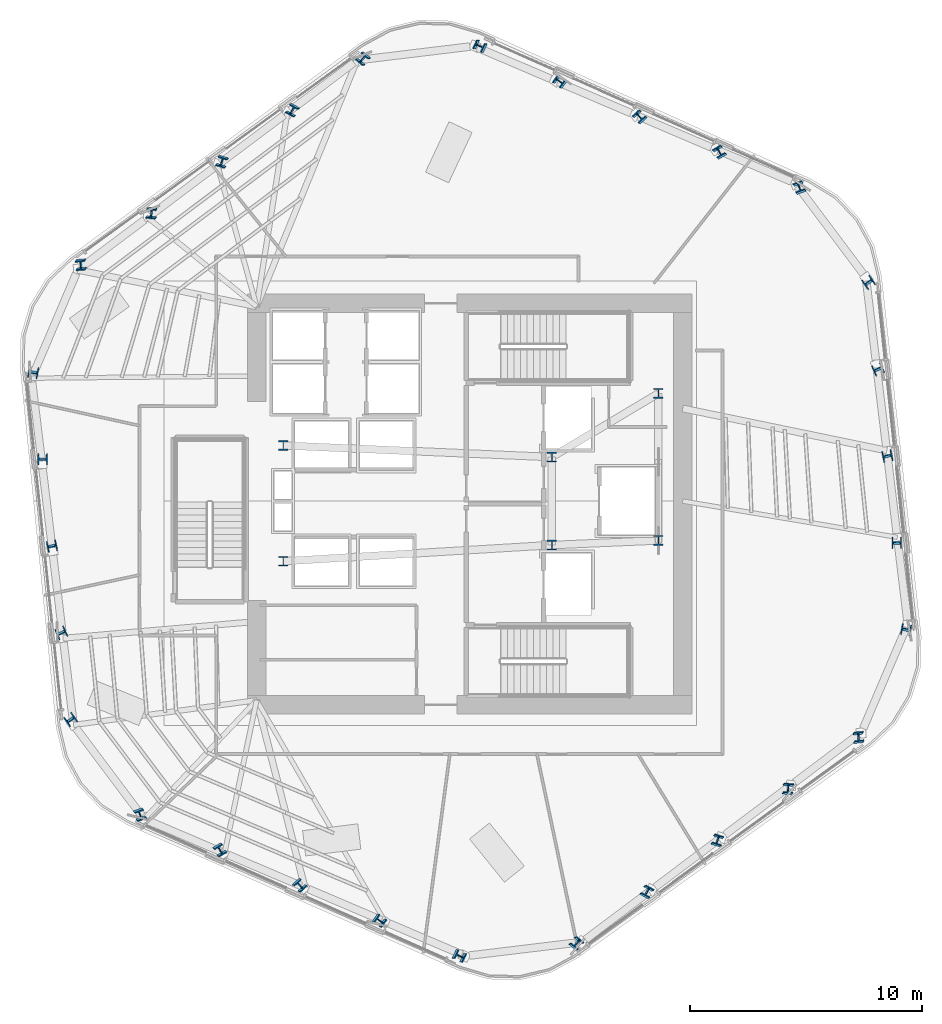
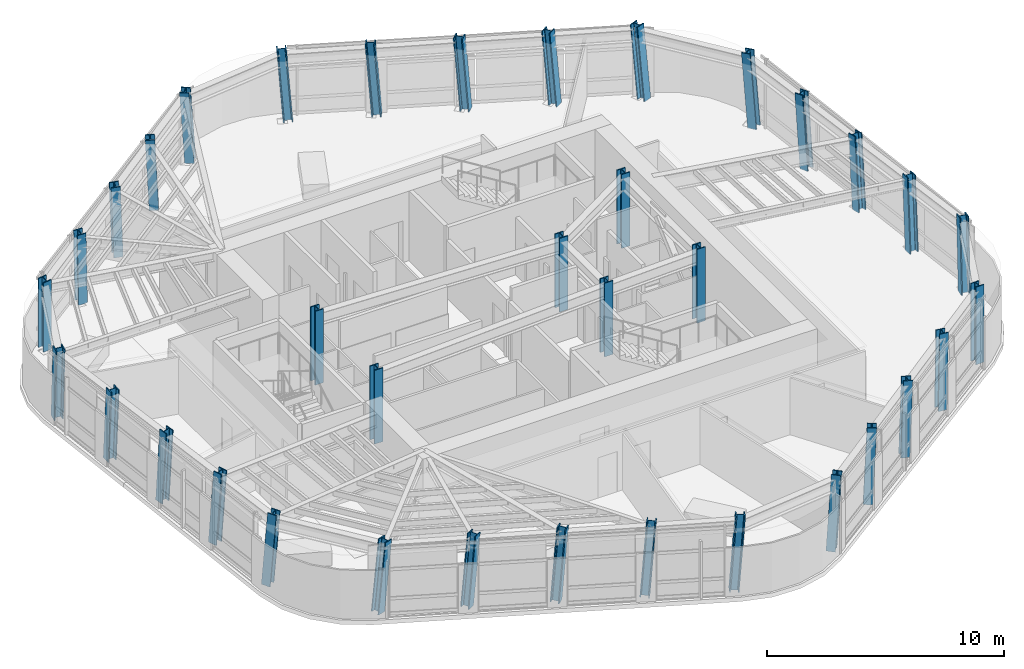
# One storey, part 1 of 14: 36 columns.
"""IFC4 building model written with IfcOpenShell, lengths in metres."""

from ifc_helpers import new_model, si_unit, direction, frame, origin, origin_2d, place, context, subcontext, project, spatial, i_section, extrude, material, material_profile, profile_set, type_object, element, save


model = new_model("IFC4")

# Units and contexts
model_context = context("Model", 3, precision=1e-05, world=origin(), true_north=direction((0.0, 1.0)))
body_context = subcontext(model_context, "Body", "Model", "MODEL_VIEW")
ifc_project = project(units=[si_unit("LENGTHUNIT", "METRE"), si_unit("AREAUNIT", "SQUARE_METRE"), si_unit("VOLUMEUNIT", "CUBIC_METRE"), si_unit("PLANEANGLEUNIT", "RADIAN"), si_unit("MASSUNIT", "GRAM", prefix="KILO")], contexts=[model_context])

# Site, building, storey
site_placement = place(None, origin())
site = spatial("IfcSite", under=ifc_project, at=site_placement, CompositionType="ELEMENT")
building_placement = place(site_placement, origin())
building = spatial("IfcBuilding", under=site, at=building_placement, Name="Valkerne Bourse Tower", CompositionType="ELEMENT")
storey_placement = place(building_placement, frame((0.0, 0.0, 178.0)))
storey = spatial("IfcBuildingStorey", under=building, at=storey_placement, Name="L45", CompositionType="ELEMENT", Elevation=178.0)

# Columns
ifc_material = material(Name="Steel ASTM A913 Grade 65", Category="steel")
ifc_material_profile_1 = material_profile(ifc_material, i_section(OverallWidth=0.406494140625, OverallDepth=0.41650390625, WebThickness=0.02978515625, FlangeThickness=0.048095703125, FilletRadius=0.025390625, at=origin_2d()), Name="W14X257")
ifc_profile_set_1 = profile_set([ifc_material_profile_1], Name="Steel ASTM A913 Grade 65")
column_type_1 = type_object("IfcColumnType", Name="COL-W14X257", PredefinedType="COLUMN", material=ifc_profile_set_1)
column_1_placement = place(storey_placement, frame((61.069580078125, 40.507080078125, 0.010009765625), z_axis=(-0.05637615835, 0.05862863043, 0.996686717311), x_axis=(0.939484948282, 0.340989126268, 0.033082438217)))
element("IfcColumn", 1, at=column_1_placement, inside=storey, type_object=column_type_1, Name="L45 Helical Perimeter Tube Column F1-C1", PredefinedType="COLUMN", context=body_context, shape_type="SweptSolid", body=[
    extrude(i_section(OverallWidth=0.406494140625, OverallDepth=0.41650390625, WebThickness=0.02978515625, FlangeThickness=0.048095703125, FilletRadius=0.025390625, at=origin_2d()), origin(), (0.0, 0.0, 1.0), 3.79345703125),
])
column_2_placement = place(storey_placement, frame((57.62451171875, 42.041015625, 0.010009765625), z_axis=(-0.062641718048, 0.044293424478, 0.997052710597), x_axis=(0.858550778147, 0.511778106739, 0.031204660018)))
element("IfcColumn", 2, at=column_2_placement, inside=storey, type_object=column_type_1, Name="L45 Helical Perimeter Tube Column F1-C2", PredefinedType="COLUMN", context=body_context, shape_type="SweptSolid", body=[
    extrude(i_section(OverallWidth=0.406494140625, OverallDepth=0.41650390625, WebThickness=0.02978515625, FlangeThickness=0.048095703125, FilletRadius=0.025390625, at=origin_2d()), origin(), (0.0, 0.0, 1.0), 3.792236328125),
])
column_3_placement = place(storey_placement, frame((54.179443359375, 43.57470703125, 0.010009765625), z_axis=(-0.068894859855, 0.030004677283, 0.997172611751), x_axis=(0.736621409089, 0.67561433225, 0.030564255756)))
element("IfcColumn", 3, at=column_3_placement, inside=storey, type_object=column_type_1, Name="L45 Helical Perimeter Tube Column F1-C3", PredefinedType="COLUMN", context=body_context, shape_type="SweptSolid", body=[
    extrude(i_section(OverallWidth=0.406494140625, OverallDepth=0.41650390625, WebThickness=0.02978515625, FlangeThickness=0.048095703125, FilletRadius=0.025390625, at=origin_2d()), origin(), (0.0, 0.0, 1.0), 3.791748046875),
])
column_4_placement = place(storey_placement, frame((50.734619140625, 45.1083984375, 0.010009765625), z_axis=(-0.075131223163, 0.015708670481, 0.997049916994), x_axis=(0.583917004821, 0.8112128445, 0.031219423424)))
element("IfcColumn", 4, at=column_4_placement, inside=storey, type_object=column_type_1, Name="L45 Helical Perimeter Tube Column F1-C4", PredefinedType="COLUMN", context=body_context, shape_type="SweptSolid", body=[
    extrude(i_section(OverallWidth=0.406494140625, OverallDepth=0.41650390625, WebThickness=0.02978515625, FlangeThickness=0.048095703125, FilletRadius=0.025390625, at=origin_2d()), origin(), (0.0, 0.0, 1.0), 3.792236328125),
])
for number, where, z_axis, x_axis, name in (
    (5, (47.28955078125, 46.642333984375, 0.010009765625), (-0.081346278763, 0.001351480897, 0.996684983548), (0.420507848459, 0.906685243025, 0.033091078346), "L45 Helical Perimeter Tube Column F1-C5"),
    (6, (42.2373046875, 46.111328125, 0.010009765625), (-0.078965129532, -0.019564302671, 0.996685379836), (-0.763202496235, 0.644387615765, -0.047817887757), "L45 Helical Perimeter Tube Column F2-C1"),
):
    element("IfcColumn", number, at=place(storey_placement, frame(where, z_axis=z_axis, x_axis=x_axis)), inside=storey, type_object=column_type_1, Name=name, PredefinedType="COLUMN", context=body_context, shape_type="SweptSolid", body=[
        extrude(i_section(OverallWidth=0.406494140625, OverallDepth=0.41650390625, WebThickness=0.02978515625, FlangeThickness=0.048095703125, FilletRadius=0.025390625, at=origin_2d()), origin(), (0.0, 0.0, 1.0), 3.793701171875),
    ])
column_5_placement = place(storey_placement, frame((39.1865234375, 43.894775390625, 0.010009765625), z_axis=(-0.069723253022, -0.032125487773, 0.997048956182), x_axis=(-0.87082017765, 0.489526409745, -0.045123301733)))
element("IfcColumn", 7, at=column_5_placement, inside=storey, type_object=column_type_1, Name="L45 Helical Perimeter Tube Column F2-C2", PredefinedType="COLUMN", context=body_context, shape_type="SweptSolid", body=[
    extrude(i_section(OverallWidth=0.406494140625, OverallDepth=0.41650390625, WebThickness=0.02978515625, FlangeThickness=0.048095703125, FilletRadius=0.025390625, at=origin_2d()), origin(), (0.0, 0.0, 1.0), 3.792236328125),
])
column_6_placement = place(storey_placement, frame((36.1357421875, 41.67822265625, 0.010009765625), z_axis=(-0.060459905552, -0.044684956819, 0.997169922558), x_axis=(-0.952208566892, 0.302235135085, -0.044190137571)))
element("IfcColumn", 8, at=column_6_placement, inside=storey, type_object=column_type_1, Name="L45 Helical Perimeter Tube Column F2-C3", PredefinedType="COLUMN", context=body_context, shape_type="SweptSolid", body=[
    extrude(i_section(OverallWidth=0.406494140625, OverallDepth=0.41650390625, WebThickness=0.02978515625, FlangeThickness=0.048095703125, FilletRadius=0.025390625, at=origin_2d()), origin(), (0.0, 0.0, 1.0), 3.791748046875),
])
column_7_placement = place(storey_placement, frame((33.0849609375, 39.461669921875, 0.010009765625), z_axis=(-0.05118184097, -0.057233530343, 0.997048013969), x_axis=(-0.993715080405, 0.102438164205, -0.045130494024)))
element("IfcColumn", 9, at=column_7_placement, inside=storey, type_object=column_type_1, Name="L45 Helical Perimeter Tube Column F2-C4", PredefinedType="COLUMN", context=body_context, shape_type="SweptSolid", body=[
    extrude(i_section(OverallWidth=0.406494140625, OverallDepth=0.41650390625, WebThickness=0.02978515625, FlangeThickness=0.048095703125, FilletRadius=0.025390625, at=origin_2d()), origin(), (0.0, 0.0, 1.0), 3.792236328125),
])
for number, where, z_axis, x_axis, name in (
    (10, (30.0341796875, 37.2451171875, 0.010009765625), (-0.041895845345, -0.069762052771, 0.996683497474), (-0.995171369995, -0.085709378623, -0.047831441099), "L45 Helical Perimeter Tube Column F2-C5"),
    (11, (27.9677734375, 32.604248046875, 0.010009765625), (-0.022588977555, -0.078192614614, 0.996682323066), (-0.174681541654, -0.981292204725, -0.080944227408), "L45 Helical Perimeter Tube Column F3-C1"),
):
    element("IfcColumn", number, at=place(storey_placement, frame(where, z_axis=z_axis, x_axis=x_axis)), inside=storey, type_object=column_type_1, Name=name, PredefinedType="COLUMN", context=body_context, shape_type="SweptSolid", body=[
        extrude(i_section(OverallWidth=0.406494140625, OverallDepth=0.41650390625, WebThickness=0.02978515625, FlangeThickness=0.048095703125, FilletRadius=0.025390625, at=origin_2d()), origin(), (0.0, 0.0, 1.0), 3.793701171875),
    ])
column_8_placement = place(storey_placement, frame((28.362060546875, 28.85400390625, 0.010009765625), z_axis=(-0.007081748045, -0.076482878888, 0.99704574523), x_axis=(0.012660988249, -0.996997682873, -0.076389264451)))
element("IfcColumn", 12, at=column_8_placement, inside=storey, type_object=column_type_1, Name="L45 Helical Perimeter Tube Column F3-C2", PredefinedType="COLUMN", context=body_context, shape_type="SweptSolid", body=[
    extrude(i_section(OverallWidth=0.406494140625, OverallDepth=0.41650390625, WebThickness=0.02978515625, FlangeThickness=0.048095703125, FilletRadius=0.025390625, at=origin_2d()), origin(), (0.0, 0.0, 1.0), 3.792236328125),
])
column_9_placement = place(storey_placement, frame((28.756103515625, 25.103515625, 0.010009765625), z_axis=(0.008434778927, -0.074689645459, 0.997171154499), x_axis=(0.215155497977, -0.973714615625, -0.074752652183)))
element("IfcColumn", 13, at=column_9_placement, inside=storey, type_object=column_type_1, Name="L45 Helical Perimeter Tube Column F3-C3", PredefinedType="COLUMN", context=body_context, shape_type="SweptSolid", body=[
    extrude(i_section(OverallWidth=0.406494140625, OverallDepth=0.41650390625, WebThickness=0.02978515625, FlangeThickness=0.048095703125, FilletRadius=0.025390625, at=origin_2d()), origin(), (0.0, 0.0, 1.0), 3.791748046875),
])
column_10_placement = place(storey_placement, frame((29.150390625, 21.353271484375, 0.010009765625), z_axis=(0.023949252343, -0.072942212109, 0.997048578057), x_axis=(0.408635731405, -0.90949827185, -0.076352685096)))
element("IfcColumn", 14, at=column_10_placement, inside=storey, type_object=column_type_1, Name="L45 Helical Perimeter Tube Column F3-C4", PredefinedType="COLUMN", context=body_context, shape_type="SweptSolid", body=[
    extrude(i_section(OverallWidth=0.406494140625, OverallDepth=0.41650390625, WebThickness=0.02978515625, FlangeThickness=0.048095703125, FilletRadius=0.025390625, at=origin_2d()), origin(), (0.0, 0.0, 1.0), 3.792236328125),
])
for number, where, z_axis, x_axis, name in (
    (15, (29.54443359375, 17.602783203125, 0.010009765625), (0.039450480669, -0.071113835464, 0.996687755508), (0.572255381641, -0.816077521307, -0.080878040291), "L45 Helical Perimeter Tube Column F3-C5"),
    (16, (32.530517578125, 13.492919921875, 0.010009765625), (0.05637615835, -0.05862863043, 0.996686717311), (0.939484948282, 0.340989126268, -0.033082438217), "L45 Helical Perimeter Tube Column F4-C1"),
):
    element("IfcColumn", number, at=place(storey_placement, frame(where, z_axis=z_axis, x_axis=x_axis)), inside=storey, type_object=column_type_1, Name=name, PredefinedType="COLUMN", context=body_context, shape_type="SweptSolid", body=[
        extrude(i_section(OverallWidth=0.406494140625, OverallDepth=0.41650390625, WebThickness=0.02978515625, FlangeThickness=0.048095703125, FilletRadius=0.025390625, at=origin_2d()), origin(), (0.0, 0.0, 1.0), 3.79345703125),
    ])
column_11_placement = place(storey_placement, frame((35.9755859375, 11.958984375, 0.010009765625), z_axis=(0.062641718048, -0.044293424478, 0.997052710597), x_axis=(0.858550778147, 0.511778106739, -0.031204660018)))
element("IfcColumn", 17, at=column_11_placement, inside=storey, type_object=column_type_1, Name="L45 Helical Perimeter Tube Column F4-C2", PredefinedType="COLUMN", context=body_context, shape_type="SweptSolid", body=[
    extrude(i_section(OverallWidth=0.406494140625, OverallDepth=0.41650390625, WebThickness=0.02978515625, FlangeThickness=0.048095703125, FilletRadius=0.025390625, at=origin_2d()), origin(), (0.0, 0.0, 1.0), 3.792236328125),
])
column_12_placement = place(storey_placement, frame((39.42041015625, 10.42529296875, 0.010009765625), z_axis=(0.068894859855, -0.030004677283, 0.997172611751), x_axis=(0.736621409089, 0.67561433225, -0.030564255756)))
element("IfcColumn", 18, at=column_12_placement, inside=storey, type_object=column_type_1, Name="L45 Helical Perimeter Tube Column F4-C3", PredefinedType="COLUMN", context=body_context, shape_type="SweptSolid", body=[
    extrude(i_section(OverallWidth=0.406494140625, OverallDepth=0.41650390625, WebThickness=0.02978515625, FlangeThickness=0.048095703125, FilletRadius=0.025390625, at=origin_2d()), origin(), (0.0, 0.0, 1.0), 3.791748046875),
])
column_13_placement = place(storey_placement, frame((42.865478515625, 8.8916015625, 0.010009765625), z_axis=(0.075131223163, -0.015708670481, 0.997049916994), x_axis=(0.583917004821, 0.8112128445, -0.031219423424)))
element("IfcColumn", 19, at=column_13_placement, inside=storey, type_object=column_type_1, Name="L45 Helical Perimeter Tube Column F4-C4", PredefinedType="COLUMN", context=body_context, shape_type="SweptSolid", body=[
    extrude(i_section(OverallWidth=0.406494140625, OverallDepth=0.41650390625, WebThickness=0.02978515625, FlangeThickness=0.048095703125, FilletRadius=0.025390625, at=origin_2d()), origin(), (0.0, 0.0, 1.0), 3.792236328125),
])
for number, where, z_axis, x_axis, name in (
    (20, (46.310302734375, 7.357666015625, 0.010009765625), (0.081346278763, -0.001351480897, 0.996684983548), (0.420507848459, 0.906685243025, -0.033091078346), "L45 Helical Perimeter Tube Column F4-C5"),
    (21, (51.36279296875, 7.888671875, 0.010009765625), (0.078965129532, 0.019564302671, 0.996685379836), (-0.763202496235, 0.644387615765, 0.047817887757), "L45 Helical Perimeter Tube Column F5-C1"),
):
    element("IfcColumn", number, at=place(storey_placement, frame(where, z_axis=z_axis, x_axis=x_axis)), inside=storey, type_object=column_type_1, Name=name, PredefinedType="COLUMN", context=body_context, shape_type="SweptSolid", body=[
        extrude(i_section(OverallWidth=0.406494140625, OverallDepth=0.41650390625, WebThickness=0.02978515625, FlangeThickness=0.048095703125, FilletRadius=0.025390625, at=origin_2d()), origin(), (0.0, 0.0, 1.0), 3.793701171875),
    ])
column_14_placement = place(storey_placement, frame((54.41357421875, 10.105224609375, 0.010009765625), z_axis=(0.069723253022, 0.032125487773, 0.997048956182), x_axis=(-0.87082017765, 0.489526409745, 0.045123301733)))
element("IfcColumn", 22, at=column_14_placement, inside=storey, type_object=column_type_1, Name="L45 Helical Perimeter Tube Column F5-C2", PredefinedType="COLUMN", context=body_context, shape_type="SweptSolid", body=[
    extrude(i_section(OverallWidth=0.406494140625, OverallDepth=0.41650390625, WebThickness=0.02978515625, FlangeThickness=0.048095703125, FilletRadius=0.025390625, at=origin_2d()), origin(), (0.0, 0.0, 1.0), 3.792236328125),
])
column_15_placement = place(storey_placement, frame((57.46435546875, 12.32177734375, 0.010009765625), z_axis=(0.060459905552, 0.044684956819, 0.997169922558), x_axis=(-0.952208566892, 0.302235135085, 0.044190137571)))
element("IfcColumn", 23, at=column_15_placement, inside=storey, type_object=column_type_1, Name="L45 Helical Perimeter Tube Column F5-C3", PredefinedType="COLUMN", context=body_context, shape_type="SweptSolid", body=[
    extrude(i_section(OverallWidth=0.406494140625, OverallDepth=0.41650390625, WebThickness=0.02978515625, FlangeThickness=0.048095703125, FilletRadius=0.025390625, at=origin_2d()), origin(), (0.0, 0.0, 1.0), 3.791748046875),
])
column_16_placement = place(storey_placement, frame((60.51513671875, 14.538330078125, 0.010009765625), z_axis=(0.05118184097, 0.057233530343, 0.997048013969), x_axis=(-0.993715080405, 0.102438164205, 0.045130494024)))
element("IfcColumn", 24, at=column_16_placement, inside=storey, type_object=column_type_1, Name="L45 Helical Perimeter Tube Column F5-C4", PredefinedType="COLUMN", context=body_context, shape_type="SweptSolid", body=[
    extrude(i_section(OverallWidth=0.406494140625, OverallDepth=0.41650390625, WebThickness=0.02978515625, FlangeThickness=0.048095703125, FilletRadius=0.025390625, at=origin_2d()), origin(), (0.0, 0.0, 1.0), 3.792236328125),
])
for number, where, z_axis, x_axis, name in (
    (25, (63.56591796875, 16.7548828125, 0.010009765625), (0.041895845345, 0.069762052771, 0.996683497474), (-0.995171369995, -0.085709378623, 0.047831441099), "L45 Helical Perimeter Tube Column F5-C5"),
    (26, (65.632080078125, 21.395751953125, 0.010009765625), (0.022653300638, 0.078192500781, 0.996680872091), (-0.17542636215, -0.981157868436, 0.080961896405), "L45 Helical Perimeter Tube Column F6-C1"),
):
    element("IfcColumn", number, at=place(storey_placement, frame(where, z_axis=z_axis, x_axis=x_axis)), inside=storey, type_object=column_type_1, Name=name, PredefinedType="COLUMN", context=body_context, shape_type="SweptSolid", body=[
        extrude(i_section(OverallWidth=0.406494140625, OverallDepth=0.41650390625, WebThickness=0.02978515625, FlangeThickness=0.048095703125, FilletRadius=0.025390625, at=origin_2d()), origin(), (0.0, 0.0, 1.0), 3.793701171875),
    ])
column_17_placement = place(storey_placement, frame((65.238037109375, 25.14599609375, 0.010009765625), z_axis=(0.007081748045, 0.076482878888, 0.99704574523), x_axis=(0.012660988249, -0.996997682873, 0.076389264451)))
element("IfcColumn", 27, at=column_17_placement, inside=storey, type_object=column_type_1, Name="L45 Helical Perimeter Tube Column F6-C2", PredefinedType="COLUMN", context=body_context, shape_type="SweptSolid", body=[
    extrude(i_section(OverallWidth=0.406494140625, OverallDepth=0.41650390625, WebThickness=0.02978515625, FlangeThickness=0.048095703125, FilletRadius=0.025390625, at=origin_2d()), origin(), (0.0, 0.0, 1.0), 3.792236328125),
])
column_18_placement = place(storey_placement, frame((64.84375, 28.896484375, 0.010009765625), z_axis=(-0.008434778927, 0.074689645459, 0.997171154499), x_axis=(0.215155497977, -0.973714615625, 0.074752652183)))
element("IfcColumn", 28, at=column_18_placement, inside=storey, type_object=column_type_1, Name="L45 Helical Perimeter Tube Column F6-C3", PredefinedType="COLUMN", context=body_context, shape_type="SweptSolid", body=[
    extrude(i_section(OverallWidth=0.406494140625, OverallDepth=0.41650390625, WebThickness=0.02978515625, FlangeThickness=0.048095703125, FilletRadius=0.025390625, at=origin_2d()), origin(), (0.0, 0.0, 1.0), 3.791748046875),
])
column_19_placement = place(storey_placement, frame((64.44970703125, 32.646728515625, 0.010009765625), z_axis=(-0.023949252343, 0.072942212109, 0.997048578057), x_axis=(0.408635731405, -0.90949827185, 0.076352685096)))
element("IfcColumn", 29, at=column_19_placement, inside=storey, type_object=column_type_1, Name="L45 Helical Perimeter Tube Column F6-C4", PredefinedType="COLUMN", context=body_context, shape_type="SweptSolid", body=[
    extrude(i_section(OverallWidth=0.406494140625, OverallDepth=0.41650390625, WebThickness=0.02978515625, FlangeThickness=0.048095703125, FilletRadius=0.025390625, at=origin_2d()), origin(), (0.0, 0.0, 1.0), 3.792236328125),
])
column_20_placement = place(storey_placement, frame((64.055419921875, 36.397216796875, 0.010009765625), z_axis=(-0.039450480669, 0.071113835464, 0.996687755508), x_axis=(0.572255381641, -0.816077521307, 0.080878040291)))
element("IfcColumn", 30, at=column_20_placement, inside=storey, type_object=column_type_1, Name="L45 Helical Perimeter Tube Column F6-C5", PredefinedType="COLUMN", context=body_context, shape_type="SweptSolid", body=[
    extrude(i_section(OverallWidth=0.406494140625, OverallDepth=0.41650390625, WebThickness=0.02978515625, FlangeThickness=0.048095703125, FilletRadius=0.025390625, at=origin_2d()), origin(), (0.0, 0.0, 1.0), 3.79345703125),
])
ifc_material_profile_2 = material_profile(ifc_material, i_section(OverallWidth=0.408935546875, OverallDepth=0.42431640625, WebThickness=0.03271484375, FlangeThickness=0.052490234375, FilletRadius=0.025390625, at=origin_2d()), Name="W14X283")
ifc_profile_set_2 = profile_set([ifc_material_profile_2], Name="Steel ASTM A913 Grade 65")
column_type_2 = type_object("IfcColumnType", Name="COL-W14X283", PredefinedType="COLUMN", material=ifc_profile_set_2)
for number, where, z_axis, x_axis, name in (
    (31, (38.75, 24.39990234375, 0.0048828125), (0.0, 0.0, 1.0), (1.0, 0.0, 0.0), "L45 Core Frame Column CC-SW"),
    (32, (38.75, 29.39990234375, 0.0048828125), (0.0, 0.0, 1.0), (1.0, 0.0, 0.0), "L45 Core Frame Column CC-NW"),
    (33, (50.35009765625, 25.10009765625, 0.0048828125), (0.0, 0.0, 1.0), (1.0, 0.0, 0.0), "L45 Core Frame Column CC-CE1"),
    (34, (50.35009765625, 28.89990234375, 0.0048828125), (0.0, 0.0, 1.0), (1.0, 0.0, 0.0), "L45 Core Frame Column CC-CE2"),
    (35, (54.949951171875, 25.300048828125, 0.0048828125), (0.0, 0.0, 1.0), (1.0, 0.0, 0.0), "L45 Core Frame Column CC-SE"),
    (36, (54.949951171875, 31.64990234375, 0.0048828125), (0.0, 0.0, 1.0), (1.0, 0.0, 0.0), "L45 Core Frame Column CC-NE"),
):
    element("IfcColumn", number, at=place(storey_placement, frame(where, z_axis=z_axis, x_axis=x_axis)), inside=storey, type_object=column_type_2, Name=name, PredefinedType="COLUMN", context=body_context, shape_type="SweptSolid", body=[
        extrude(i_section(OverallWidth=0.408935546875, OverallDepth=0.42431640625, WebThickness=0.03271484375, FlangeThickness=0.052490234375, FilletRadius=0.025390625, at=origin_2d()), origin(), (0.0, 0.0, 1.0), 3.795166015625),
    ])

save(model, "model.ifc")
